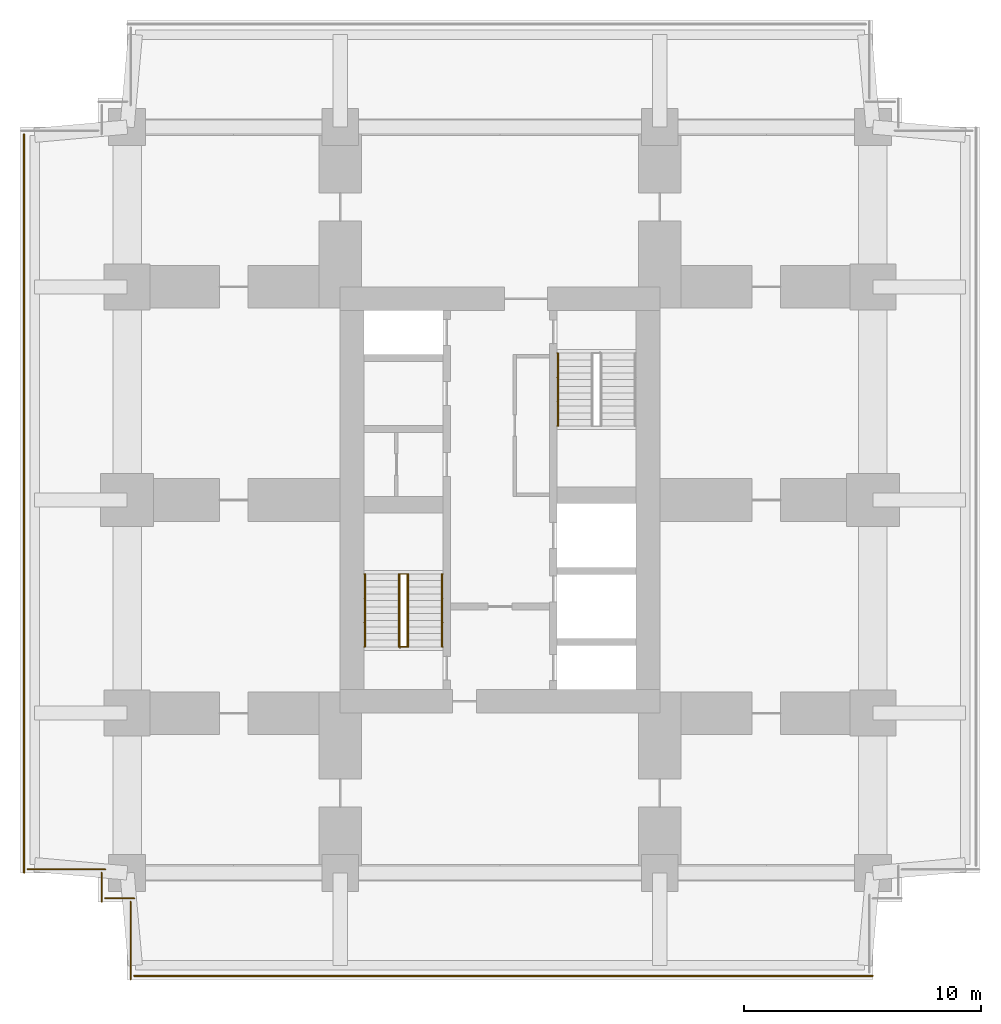
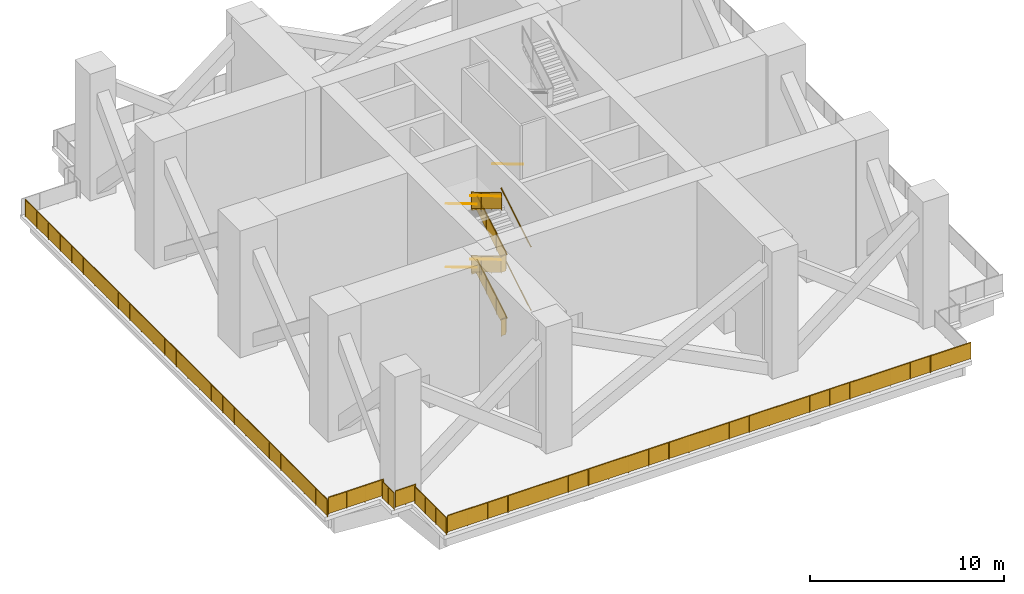
# One storey, part 4 of 6: 16 railings.
"""IFC4 building model written with IfcOpenShell, lengths in metres."""

from ifc_helpers import new_model, si_unit, direction, frame, origin, origin_2d, place, context, subcontext, project, spatial, polyline, circle, outline, extrude, material, type_object, element, save


model = new_model("IFC4")

# Units and contexts
model_context = context("Model", 3, precision=1e-05, world=origin(), true_north=direction((0.0, 1.0)))
body_context = subcontext(model_context, "Body", "Model", "MODEL_VIEW")
ifc_project = project(units=[si_unit("LENGTHUNIT", "METRE"), si_unit("AREAUNIT", "SQUARE_METRE"), si_unit("VOLUMEUNIT", "CUBIC_METRE"), si_unit("PLANEANGLEUNIT", "RADIAN"), si_unit("MASSUNIT", "GRAM", prefix="KILO")], contexts=[model_context])

# Site, building, storey
site_placement = place(None, origin())
site = spatial("IfcSite", under=ifc_project, at=site_placement, CompositionType="ELEMENT")
building_placement = place(site_placement, origin())
building = spatial("IfcBuilding", under=site, at=building_placement, Name="Namib Vertical Campus", CompositionType="ELEMENT")
storey_placement = place(building_placement, frame((0.0, 0.0, 245.0)))
storey = spatial("IfcBuildingStorey", under=building, at=storey_placement, Name="L58", CompositionType="ELEMENT", Elevation=245.0)

# Railings
ifc_material_1 = material(Name="Toughened glass balustrade", Category="glass")
railing_type_1 = type_object("IfcRailingType", Name="Edge guard 1100", PredefinedType="GUARDRAIL", material=ifc_material_1)
railing_1_placement = place(storey_placement, frame((4.800048828125, 0.14990234375, 0.0)))
element("IfcRailing", 1, at=railing_1_placement, inside=storey, type_object=railing_type_1, Name="Refuge edge guard GR2 A L58 1", PredefinedType="GUARDRAIL", context=body_context, shape_type="SweptSolid", body=[
    extrude(circle(Radius=0.02392578125, at=origin_2d()), frame((0.0, 0.0, 1.076171875), z_axis=(1.0, 0.0, 0.0), x_axis=(0.0, 1.0, 0.0)), (0.0, 0.0, 1.0), 31.199951171875),
    extrude(outline(polyline([(0.02099609375, 0.050048828125), (31.178955078125, 0.050048828125), (31.178955078125, 1.052001953125), (0.02099609375, 1.052001953125), (0.02099609375, 0.050048828125)])), frame((0.0, 0.0107421875, 0.0), z_axis=(0.0, -1.0, 0.0), x_axis=(1.0, 0.0, 0.0)), (0.0, 0.0, 1.0), 0.021484375),
    extrude(circle(Radius=0.02099609375, at=origin_2d()), origin(), (0.0, 0.0, 1.0), 1.052001953125),
    extrude(circle(Radius=0.02099609375, at=origin_2d()), frame((1.199951171875, 0.0, 0.0)), (0.0, 0.0, 1.0), 1.052001953125),
    extrude(circle(Radius=0.02099609375, at=origin_2d()), frame((2.39990234375, 0.0, 0.0)), (0.0, 0.0, 1.0), 1.052001953125),
    extrude(circle(Radius=0.02099609375, at=origin_2d()), frame((3.60009765625, 0.0, 0.0)), (0.0, 0.0, 1.0), 1.052001953125),
    extrude(circle(Radius=0.02099609375, at=origin_2d()), frame((4.800048828125, 0.0, 0.0)), (0.0, 0.0, 1.0), 1.052001953125),
    extrude(circle(Radius=0.02099609375, at=origin_2d()), frame((6.0, 0.0, 0.0)), (0.0, 0.0, 1.0), 1.052001953125),
    extrude(circle(Radius=0.02099609375, at=origin_2d()), frame((7.199951171875, 0.0, 0.0)), (0.0, 0.0, 1.0), 1.052001953125),
    extrude(circle(Radius=0.02099609375, at=origin_2d()), frame((8.39990234375, 0.0, 0.0)), (0.0, 0.0, 1.0), 1.052001953125),
    extrude(circle(Radius=0.02099609375, at=origin_2d()), frame((9.60009765625, 0.0, 0.0)), (0.0, 0.0, 1.0), 1.052001953125),
    extrude(circle(Radius=0.02099609375, at=origin_2d()), frame((10.800048828125, 0.0, 0.0)), (0.0, 0.0, 1.0), 1.052001953125),
    extrude(circle(Radius=0.02099609375, at=origin_2d()), frame((12.0, 0.0, 0.0)), (0.0, 0.0, 1.0), 1.052001953125),
    extrude(circle(Radius=0.02099609375, at=origin_2d()), frame((13.199951171875, 0.0, 0.0)), (0.0, 0.0, 1.0), 1.052001953125),
    extrude(circle(Radius=0.02099609375, at=origin_2d()), frame((14.39990234375, 0.0, 0.0)), (0.0, 0.0, 1.0), 1.052001953125),
    extrude(circle(Radius=0.02099609375, at=origin_2d()), frame((15.60009765625, 0.0, 0.0)), (0.0, 0.0, 1.0), 1.052001953125),
    extrude(circle(Radius=0.02099609375, at=origin_2d()), frame((16.800048828125, 0.0, 0.0)), (0.0, 0.0, 1.0), 1.052001953125),
    extrude(circle(Radius=0.02099609375, at=origin_2d()), frame((18.0, 0.0, 0.0)), (0.0, 0.0, 1.0), 1.052001953125),
    extrude(circle(Radius=0.02099609375, at=origin_2d()), frame((19.199951171875, 0.0, 0.0)), (0.0, 0.0, 1.0), 1.052001953125),
    extrude(circle(Radius=0.02099609375, at=origin_2d()), frame((20.39990234375, 0.0, 0.0)), (0.0, 0.0, 1.0), 1.052001953125),
    extrude(circle(Radius=0.02099609375, at=origin_2d()), frame((21.599853515625, 0.0, 0.0)), (0.0, 0.0, 1.0), 1.052001953125),
    extrude(circle(Radius=0.02099609375, at=origin_2d()), frame((22.800048828125, 0.0, 0.0)), (0.0, 0.0, 1.0), 1.052001953125),
    extrude(circle(Radius=0.02099609375, at=origin_2d()), frame((24.0, 0.0, 0.0)), (0.0, 0.0, 1.0), 1.052001953125),
    extrude(circle(Radius=0.02099609375, at=origin_2d()), frame((25.199951171875, 0.0, 0.0)), (0.0, 0.0, 1.0), 1.052001953125),
    extrude(circle(Radius=0.02099609375, at=origin_2d()), frame((26.39990234375, 0.0, 0.0)), (0.0, 0.0, 1.0), 1.052001953125),
    extrude(circle(Radius=0.02099609375, at=origin_2d()), frame((27.599853515625, 0.0, 0.0)), (0.0, 0.0, 1.0), 1.052001953125),
    extrude(circle(Radius=0.02099609375, at=origin_2d()), frame((28.800048828125, 0.0, 0.0)), (0.0, 0.0, 1.0), 1.052001953125),
    extrude(circle(Radius=0.02099609375, at=origin_2d()), frame((30.0, 0.0, 0.0)), (0.0, 0.0, 1.0), 1.052001953125),
    extrude(circle(Radius=0.02099609375, at=origin_2d()), frame((31.199951171875, 0.0, 0.0)), (0.0, 0.0, 1.0), 1.052001953125),
])
railing_2_placement = place(storey_placement, frame((0.14990234375, 35.699951171875, 0.0)))
element("IfcRailing", 2, at=railing_2_placement, inside=storey, type_object=railing_type_1, Name="Refuge edge guard GR2 A L58 16", PredefinedType="GUARDRAIL", context=body_context, shape_type="SweptSolid", body=[
    extrude(circle(Radius=0.02392578125, at=origin_2d()), frame((0.0, 0.0, 1.076171875), z_axis=(0.0, -1.0, 0.0), x_axis=(1.0, 0.0, 0.0)), (0.0, 0.0, 1.0), 31.199951171875),
    extrude(outline(polyline([(0.02099609375, 0.050048828125), (31.178955078125, 0.050048828125), (31.178955078125, 1.052001953125), (0.02099609375, 1.052001953125), (0.02099609375, 0.050048828125)])), frame((0.0107421875, 0.0, 0.0), z_axis=(-1.0, 0.0, 0.0), x_axis=(0.0, -1.0, 0.0)), (0.0, 0.0, 1.0), 0.021484375),
    extrude(circle(Radius=0.02099609375, at=origin_2d()), origin(), (0.0, 0.0, 1.0), 1.052001953125),
    extrude(circle(Radius=0.02099609375, at=origin_2d()), frame((0.0, -1.199951171875, 0.0)), (0.0, 0.0, 1.0), 1.052001953125),
    extrude(circle(Radius=0.02099609375, at=origin_2d()), frame((0.0, -2.39990234375, 0.0)), (0.0, 0.0, 1.0), 1.052001953125),
    extrude(circle(Radius=0.02099609375, at=origin_2d()), frame((0.0, -3.60009765625, 0.0)), (0.0, 0.0, 1.0), 1.052001953125),
    extrude(circle(Radius=0.02099609375, at=origin_2d()), frame((0.0, -4.800048828125, 0.0)), (0.0, 0.0, 1.0), 1.052001953125),
    extrude(circle(Radius=0.02099609375, at=origin_2d()), frame((0.0, -6.0, 0.0)), (0.0, 0.0, 1.0), 1.052001953125),
    extrude(circle(Radius=0.02099609375, at=origin_2d()), frame((0.0, -7.199951171875, 0.0)), (0.0, 0.0, 1.0), 1.052001953125),
    extrude(circle(Radius=0.02099609375, at=origin_2d()), frame((0.0, -8.39990234375, 0.0)), (0.0, 0.0, 1.0), 1.052001953125),
    extrude(circle(Radius=0.02099609375, at=origin_2d()), frame((0.0, -9.60009765625, 0.0)), (0.0, 0.0, 1.0), 1.052001953125),
    extrude(circle(Radius=0.02099609375, at=origin_2d()), frame((0.0, -10.800048828125, 0.0)), (0.0, 0.0, 1.0), 1.052001953125),
    extrude(circle(Radius=0.02099609375, at=origin_2d()), frame((0.0, -12.0, 0.0)), (0.0, 0.0, 1.0), 1.052001953125),
    extrude(circle(Radius=0.02099609375, at=origin_2d()), frame((0.0, -13.199951171875, 0.0)), (0.0, 0.0, 1.0), 1.052001953125),
    extrude(circle(Radius=0.02099609375, at=origin_2d()), frame((0.0, -14.39990234375, 0.0)), (0.0, 0.0, 1.0), 1.052001953125),
    extrude(circle(Radius=0.02099609375, at=origin_2d()), frame((0.0, -15.60009765625, 0.0)), (0.0, 0.0, 1.0), 1.052001953125),
    extrude(circle(Radius=0.02099609375, at=origin_2d()), frame((0.0, -16.800048828125, 0.0)), (0.0, 0.0, 1.0), 1.052001953125),
    extrude(circle(Radius=0.02099609375, at=origin_2d()), frame((0.0, -18.0, 0.0)), (0.0, 0.0, 1.0), 1.052001953125),
    extrude(circle(Radius=0.02099609375, at=origin_2d()), frame((0.0, -19.199951171875, 0.0)), (0.0, 0.0, 1.0), 1.052001953125),
    extrude(circle(Radius=0.02099609375, at=origin_2d()), frame((0.0, -20.39990234375, 0.0)), (0.0, 0.0, 1.0), 1.052001953125),
    extrude(circle(Radius=0.02099609375, at=origin_2d()), frame((0.0, -21.599853515625, 0.0)), (0.0, 0.0, 1.0), 1.052001953125),
    extrude(circle(Radius=0.02099609375, at=origin_2d()), frame((0.0, -22.800048828125, 0.0)), (0.0, 0.0, 1.0), 1.052001953125),
    extrude(circle(Radius=0.02099609375, at=origin_2d()), frame((0.0, -24.0, 0.0)), (0.0, 0.0, 1.0), 1.052001953125),
    extrude(circle(Radius=0.02099609375, at=origin_2d()), frame((0.0, -25.199951171875, 0.0)), (0.0, 0.0, 1.0), 1.052001953125),
    extrude(circle(Radius=0.02099609375, at=origin_2d()), frame((0.0, -26.39990234375, 0.0)), (0.0, 0.0, 1.0), 1.052001953125),
    extrude(circle(Radius=0.02099609375, at=origin_2d()), frame((0.0, -27.599853515625, 0.0)), (0.0, 0.0, 1.0), 1.052001953125),
    extrude(circle(Radius=0.02099609375, at=origin_2d()), frame((0.0, -28.800048828125, 0.0)), (0.0, 0.0, 1.0), 1.052001953125),
    extrude(circle(Radius=0.02099609375, at=origin_2d()), frame((0.0, -30.0, 0.0)), (0.0, 0.0, 1.0), 1.052001953125),
    extrude(circle(Radius=0.02099609375, at=origin_2d()), frame((0.0, -31.199951171875, 0.0)), (0.0, 0.0, 1.0), 1.052001953125),
])
railing_3_placement = place(storey_placement, frame((0.300048828125, 4.64990234375, 0.0)))
element("IfcRailing", 3, at=railing_3_placement, inside=storey, type_object=railing_type_1, Name="Refuge edge guard GR2 A L58 17", PredefinedType="GUARDRAIL", context=body_context, shape_type="SweptSolid", body=[
    extrude(circle(Radius=0.02392578125, at=origin_2d()), frame((0.0, 0.0, 1.076171875), z_axis=(1.0, 0.0, 0.0), x_axis=(0.0, 1.0, 0.0)), (0.0, 0.0, 1.0), 3.27490234375),
    extrude(outline(polyline([(0.02099609375, 0.050048828125), (3.25390625, 0.050048828125), (3.25390625, 1.052001953125), (0.02099609375, 1.052001953125), (0.02099609375, 0.050048828125)])), frame((0.0, 0.0107421875, 0.0), z_axis=(0.0, -1.0, 0.0), x_axis=(1.0, 0.0, 0.0)), (0.0, 0.0, 1.0), 0.021484375),
    extrude(circle(Radius=0.02099609375, at=origin_2d()), origin(), (0.0, 0.0, 1.0), 1.052001953125),
    extrude(circle(Radius=0.02099609375, at=origin_2d()), frame((1.091552734375, 0.0, 0.0)), (0.0, 0.0, 1.0), 1.052001953125),
    extrude(circle(Radius=0.02099609375, at=origin_2d()), frame((2.183349609375, 0.0, 0.0)), (0.0, 0.0, 1.0), 1.052001953125),
    extrude(circle(Radius=0.02099609375, at=origin_2d()), frame((3.27490234375, 0.0, 0.0)), (0.0, 0.0, 1.0), 1.052001953125),
])
railing_4_placement = place(storey_placement, frame((3.425048828125, 4.5, 0.0)))
element("IfcRailing", 4, at=railing_4_placement, inside=storey, type_object=railing_type_1, Name="Refuge edge guard GR2 A L58 18", PredefinedType="GUARDRAIL", context=body_context, shape_type="SweptSolid", body=[
    extrude(circle(Radius=0.02392578125, at=origin_2d()), frame((0.0, 0.0, 1.076171875), z_axis=(0.0, -1.0, 0.0), x_axis=(1.0, 0.0, 0.0)), (0.0, 0.0, 1.0), 1.22509765625),
    extrude(outline(polyline([(0.02099609375, 0.050048828125), (1.2041015625, 0.050048828125), (1.2041015625, 1.052001953125), (0.02099609375, 1.052001953125), (0.02099609375, 0.050048828125)])), frame((0.0107421875, 0.0, 0.0), z_axis=(-1.0, 0.0, 0.0), x_axis=(0.0, -1.0, 0.0)), (0.0, 0.0, 1.0), 0.021484375),
    extrude(circle(Radius=0.02099609375, at=origin_2d()), origin(), (0.0, 0.0, 1.0), 1.052001953125),
    extrude(circle(Radius=0.02099609375, at=origin_2d()), frame((0.0, -0.612548828125, 0.0)), (0.0, 0.0, 1.0), 1.052001953125),
    extrude(circle(Radius=0.02099609375, at=origin_2d()), frame((0.0, -1.22509765625, 0.0)), (0.0, 0.0, 1.0), 1.052001953125),
])
railing_5_placement = place(storey_placement, frame((3.574951171875, 3.425048828125, 0.0)))
element("IfcRailing", 5, at=railing_5_placement, inside=storey, type_object=railing_type_1, Name="Refuge edge guard GR2 A L58 19", PredefinedType="GUARDRAIL", context=body_context, shape_type="SweptSolid", body=[
    extrude(circle(Radius=0.02392578125, at=origin_2d()), frame((0.0, 0.0, 1.076171875), z_axis=(1.0, 0.0, 0.0), x_axis=(0.0, 1.0, 0.0)), (0.0, 0.0, 1.0), 1.22509765625),
    extrude(outline(polyline([(0.02099609375, 0.050048828125), (1.2041015625, 0.050048828125), (1.2041015625, 1.052001953125), (0.02099609375, 1.052001953125), (0.02099609375, 0.050048828125)])), frame((0.0, 0.0107421875, 0.0), z_axis=(0.0, -1.0, 0.0), x_axis=(1.0, 0.0, 0.0)), (0.0, 0.0, 1.0), 0.021484375),
    extrude(circle(Radius=0.02099609375, at=origin_2d()), origin(), (0.0, 0.0, 1.0), 1.052001953125),
    extrude(circle(Radius=0.02099609375, at=origin_2d()), frame((0.612548828125, 0.0, 0.0)), (0.0, 0.0, 1.0), 1.052001953125),
    extrude(circle(Radius=0.02099609375, at=origin_2d()), frame((1.22509765625, 0.0, 0.0)), (0.0, 0.0, 1.0), 1.052001953125),
])
railing_6_placement = place(storey_placement, frame((4.64990234375, 3.27490234375, 0.0)))
element("IfcRailing", 6, at=railing_6_placement, inside=storey, type_object=railing_type_1, Name="Refuge edge guard GR2 A L58 20", PredefinedType="GUARDRAIL", context=body_context, shape_type="SweptSolid", body=[
    extrude(circle(Radius=0.02392578125, at=origin_2d()), frame((0.0, 0.0, 1.076171875), z_axis=(0.0, -1.0, 0.0), x_axis=(1.0, 0.0, 0.0)), (0.0, 0.0, 1.0), 3.27490234375),
    extrude(outline(polyline([(0.02099609375, 0.050048828125), (3.25390625, 0.050048828125), (3.25390625, 1.052001953125), (0.02099609375, 1.052001953125), (0.02099609375, 0.050048828125)])), frame((0.0107421875, 0.0, 0.0), z_axis=(-1.0, 0.0, 0.0), x_axis=(0.0, -1.0, 0.0)), (0.0, 0.0, 1.0), 0.021484375),
    extrude(circle(Radius=0.02099609375, at=origin_2d()), origin(), (0.0, 0.0, 1.0), 1.052001953125),
    extrude(circle(Radius=0.02099609375, at=origin_2d()), frame((0.0, -1.091552734375, 0.0)), (0.0, 0.0, 1.0), 1.052001953125),
    extrude(circle(Radius=0.02099609375, at=origin_2d()), frame((0.0, -2.183349609375, 0.0)), (0.0, 0.0, 1.0), 1.052001953125),
    extrude(circle(Radius=0.02099609375, at=origin_2d()), frame((0.0, -3.27490234375, 0.0)), (0.0, 0.0, 1.0), 1.052001953125),
])
ifc_material_2 = material(Name="Steel handrail", Category="steel")
railing_type_2 = type_object("IfcRailingType", Name="Handrail 900", PredefinedType="HANDRAIL", material=ifc_material_2)
railing_7_placement = place(storey_placement, frame((17.800048828125, 14.050048828125, 0.166748046875)))
element("IfcRailing", 7, at=railing_7_placement, inside=storey, type_object=railing_type_2, Name="Handrail HR1 A-S1 L58 1", PredefinedType="HANDRAIL", context=body_context, shape_type="SweptSolid", body=[
    extrude(circle(Radius=0.02392578125, at=origin_2d()), frame((0.0, 0.0, 0.8759765625), z_axis=(0.0, 0.859290745958, 0.51148745235), x_axis=(-1.0, 0.0, 0.0)), (0.0, 0.0, 1.0), 3.584228515625),
    extrude(circle(Radius=0.008056640625, at=origin_2d()), frame((0.0, 0.0, 0.8759765625), z_axis=(1.0, 0.0, 0.0), x_axis=(0.0, 0.0, 1.0)), (0.0, 0.0, 1.0), 0.050048828125),
    extrude(circle(Radius=0.008056640625, at=origin_2d()), frame((0.0, 1.026611328125, 1.48681640625), z_axis=(1.0, 0.0, 0.0), x_axis=(0.0, 0.0, 1.0)), (0.0, 0.0, 1.0), 0.050048828125),
    extrude(circle(Radius=0.008056640625, at=origin_2d()), frame((0.0, 2.05322265625, 2.09814453125), z_axis=(1.0, 0.0, 0.0), x_axis=(0.0, 0.0, 1.0)), (0.0, 0.0, 1.0), 0.050048828125),
    extrude(circle(Radius=0.008056640625, at=origin_2d()), frame((0.0, 3.079833984375, 2.708984375), z_axis=(1.0, 0.0, 0.0), x_axis=(0.0, 0.0, 1.0)), (0.0, 0.0, 1.0), 0.050048828125),
])
railing_8_placement = place(storey_placement, frame((14.550048828125, 17.1298828125, 2.166748046875)))
element("IfcRailing", 8, at=railing_8_placement, inside=storey, type_object=railing_type_2, Name="Handrail HR1 A-S1 L58 2", PredefinedType="HANDRAIL", context=body_context, shape_type="SweptSolid", body=[
    extrude(circle(Radius=0.02392578125, at=origin_2d()), frame((0.0, 0.0, 0.8759765625), z_axis=(0.0, -0.859290745958, 0.51148745235), x_axis=(1.0, 0.0, 0.0)), (0.0, 0.0, 1.0), 3.584228515625),
    extrude(circle(Radius=0.008056640625, at=origin_2d()), frame((0.0, 0.0, 0.8759765625), z_axis=(-1.0, 0.0, 0.0), x_axis=(0.0, 0.0, 1.0)), (0.0, 0.0, 1.0), 0.050048828125),
    extrude(circle(Radius=0.008056640625, at=origin_2d()), frame((0.0, -1.026611328125, 1.48681640625), z_axis=(-1.0, 0.0, 0.0), x_axis=(0.0, 0.0, 1.0)), (0.0, 0.0, 1.0), 0.050048828125),
    extrude(circle(Radius=0.008056640625, at=origin_2d()), frame((0.0, -2.05322265625, 2.09814453125), z_axis=(-1.0, 0.0, 0.0), x_axis=(0.0, 0.0, 1.0)), (0.0, 0.0, 1.0), 0.050048828125),
    extrude(circle(Radius=0.008056640625, at=origin_2d()), frame((0.0, -3.079833984375, 2.708984375), z_axis=(-1.0, 0.0, 0.0), x_axis=(0.0, 0.0, 1.0)), (0.0, 0.0, 1.0), 0.050048828125),
])
railing_9_placement = place(storey_placement, frame((17.800048828125, 14.050048828125, 4.166748046875)))
element("IfcRailing", 9, at=railing_9_placement, inside=storey, type_object=railing_type_2, Name="Handrail HR1 A-S1 L58 3", PredefinedType="HANDRAIL", context=body_context, shape_type="SweptSolid", body=[
    extrude(circle(Radius=0.02392578125, at=origin_2d()), frame((0.0, 0.0, 0.8759765625), z_axis=(0.0, 0.859290745958, 0.51148745235), x_axis=(-1.0, 0.0, 0.0)), (0.0, 0.0, 1.0), 3.584228515625),
    extrude(circle(Radius=0.008056640625, at=origin_2d()), frame((0.0, 0.0, 0.8759765625), z_axis=(1.0, 0.0, 0.0), x_axis=(0.0, 0.0, 1.0)), (0.0, 0.0, 1.0), 0.050048828125),
    extrude(circle(Radius=0.008056640625, at=origin_2d()), frame((0.0, 1.026611328125, 1.48681640625), z_axis=(1.0, 0.0, 0.0), x_axis=(0.0, 0.0, 1.0)), (0.0, 0.0, 1.0), 0.050048828125),
    extrude(circle(Radius=0.008056640625, at=origin_2d()), frame((0.0, 2.05322265625, 2.09814453125), z_axis=(1.0, 0.0, 0.0), x_axis=(0.0, 0.0, 1.0)), (0.0, 0.0, 1.0), 0.050048828125),
    extrude(circle(Radius=0.008056640625, at=origin_2d()), frame((0.0, 3.079833984375, 2.708984375), z_axis=(1.0, 0.0, 0.0), x_axis=(0.0, 0.0, 1.0)), (0.0, 0.0, 1.0), 0.050048828125),
])
railing_10_placement = place(storey_placement, frame((14.550048828125, 17.1298828125, 6.166748046875)))
element("IfcRailing", 10, at=railing_10_placement, inside=storey, type_object=railing_type_2, Name="Handrail HR1 A-S1 L58 4", PredefinedType="HANDRAIL", context=body_context, shape_type="SweptSolid", body=[
    extrude(circle(Radius=0.02392578125, at=origin_2d()), frame((0.0, 0.0, 0.8759765625), z_axis=(0.0, -0.859290745958, 0.51148745235), x_axis=(1.0, 0.0, 0.0)), (0.0, 0.0, 1.0), 3.584228515625),
    extrude(circle(Radius=0.008056640625, at=origin_2d()), frame((0.0, 0.0, 0.8759765625), z_axis=(-1.0, 0.0, 0.0), x_axis=(0.0, 0.0, 1.0)), (0.0, 0.0, 1.0), 0.050048828125),
    extrude(circle(Radius=0.008056640625, at=origin_2d()), frame((0.0, -1.026611328125, 1.48681640625), z_axis=(-1.0, 0.0, 0.0), x_axis=(0.0, 0.0, 1.0)), (0.0, 0.0, 1.0), 0.050048828125),
    extrude(circle(Radius=0.008056640625, at=origin_2d()), frame((0.0, -2.05322265625, 2.09814453125), z_axis=(-1.0, 0.0, 0.0), x_axis=(0.0, 0.0, 1.0)), (0.0, 0.0, 1.0), 0.050048828125),
    extrude(circle(Radius=0.008056640625, at=origin_2d()), frame((0.0, -3.079833984375, 2.708984375), z_axis=(-1.0, 0.0, 0.0), x_axis=(0.0, 0.0, 1.0)), (0.0, 0.0, 1.0), 0.050048828125),
])
railing_11_placement = place(storey_placement, frame((16.375, 14.050048828125, 0.166748046875)))
element("IfcRailing", 11, at=railing_11_placement, inside=storey, type_object=railing_type_2, Name="Handrail HR1 A-S1 L58 1 at the well", PredefinedType="HANDRAIL", context=body_context, shape_type="SweptSolid", body=[
    extrude(circle(Radius=0.02392578125, at=origin_2d()), frame((0.0, 0.0, 0.8759765625), z_axis=(0.0, 0.859290745958, 0.51148745235), x_axis=(-1.0, 0.0, 0.0)), (0.0, 0.0, 1.0), 3.584228515625),
    extrude(circle(Radius=0.008056640625, at=origin_2d()), frame((0.0, 0.0, 0.8759765625), z_axis=(-1.0, 0.0, 0.0), x_axis=(0.0, 0.0, 1.0)), (0.0, 0.0, 1.0), 0.0400390625),
    extrude(circle(Radius=0.008056640625, at=origin_2d()), frame((0.0, 1.026611328125, 1.48681640625), z_axis=(-1.0, 0.0, 0.0), x_axis=(0.0, 0.0, 1.0)), (0.0, 0.0, 1.0), 0.0400390625),
    extrude(circle(Radius=0.008056640625, at=origin_2d()), frame((0.0, 2.05322265625, 2.09814453125), z_axis=(-1.0, 0.0, 0.0), x_axis=(0.0, 0.0, 1.0)), (0.0, 0.0, 1.0), 0.0400390625),
    extrude(circle(Radius=0.008056640625, at=origin_2d()), frame((0.0, 3.079833984375, 2.708984375), z_axis=(-1.0, 0.0, 0.0), x_axis=(0.0, 0.0, 1.0)), (0.0, 0.0, 1.0), 0.0400390625),
])
railing_12_placement = place(storey_placement, frame((15.97509765625, 17.1298828125, 2.166748046875)))
element("IfcRailing", 12, at=railing_12_placement, inside=storey, type_object=railing_type_2, Name="Handrail HR1 A-S1 L58 2 at the well", PredefinedType="HANDRAIL", context=body_context, shape_type="SweptSolid", body=[
    extrude(circle(Radius=0.02392578125, at=origin_2d()), frame((0.0, 0.0, 0.8759765625), z_axis=(0.0, -0.859290745958, 0.51148745235), x_axis=(1.0, 0.0, 0.0)), (0.0, 0.0, 1.0), 3.584228515625),
    extrude(circle(Radius=0.008056640625, at=origin_2d()), frame((0.0, 0.0, 0.8759765625), z_axis=(1.0, 0.0, 0.0), x_axis=(0.0, 0.0, 1.0)), (0.0, 0.0, 1.0), 0.0400390625),
    extrude(circle(Radius=0.008056640625, at=origin_2d()), frame((0.0, -1.026611328125, 1.48681640625), z_axis=(1.0, 0.0, 0.0), x_axis=(0.0, 0.0, 1.0)), (0.0, 0.0, 1.0), 0.0400390625),
    extrude(circle(Radius=0.008056640625, at=origin_2d()), frame((0.0, -2.05322265625, 2.09814453125), z_axis=(1.0, 0.0, 0.0), x_axis=(0.0, 0.0, 1.0)), (0.0, 0.0, 1.0), 0.0400390625),
    extrude(circle(Radius=0.008056640625, at=origin_2d()), frame((0.0, -3.079833984375, 2.708984375), z_axis=(1.0, 0.0, 0.0), x_axis=(0.0, 0.0, 1.0)), (0.0, 0.0, 1.0), 0.0400390625),
])
railing_13_placement = place(storey_placement, frame((16.375, 14.050048828125, 4.166748046875)))
element("IfcRailing", 13, at=railing_13_placement, inside=storey, type_object=railing_type_2, Name="Handrail HR1 A-S1 L58 3 at the well", PredefinedType="HANDRAIL", context=body_context, shape_type="SweptSolid", body=[
    extrude(circle(Radius=0.02392578125, at=origin_2d()), frame((0.0, 0.0, 0.8759765625), z_axis=(0.0, 0.859290745958, 0.51148745235), x_axis=(-1.0, 0.0, 0.0)), (0.0, 0.0, 1.0), 3.584228515625),
    extrude(circle(Radius=0.008056640625, at=origin_2d()), frame((0.0, 0.0, 0.8759765625), z_axis=(-1.0, 0.0, 0.0), x_axis=(0.0, 0.0, 1.0)), (0.0, 0.0, 1.0), 0.0400390625),
    extrude(circle(Radius=0.008056640625, at=origin_2d()), frame((0.0, 1.026611328125, 1.48681640625), z_axis=(-1.0, 0.0, 0.0), x_axis=(0.0, 0.0, 1.0)), (0.0, 0.0, 1.0), 0.0400390625),
    extrude(circle(Radius=0.008056640625, at=origin_2d()), frame((0.0, 2.05322265625, 2.09814453125), z_axis=(-1.0, 0.0, 0.0), x_axis=(0.0, 0.0, 1.0)), (0.0, 0.0, 1.0), 0.0400390625),
    extrude(circle(Radius=0.008056640625, at=origin_2d()), frame((0.0, 3.079833984375, 2.708984375), z_axis=(-1.0, 0.0, 0.0), x_axis=(0.0, 0.0, 1.0)), (0.0, 0.0, 1.0), 0.0400390625),
])
railing_14_placement = place(storey_placement, frame((15.97509765625, 17.1298828125, 6.166748046875)))
element("IfcRailing", 14, at=railing_14_placement, inside=storey, type_object=railing_type_2, Name="Handrail HR1 A-S1 L58 4 at the well", PredefinedType="HANDRAIL", context=body_context, shape_type="SweptSolid", body=[
    extrude(circle(Radius=0.02392578125, at=origin_2d()), frame((0.0, 0.0, 0.8759765625), z_axis=(0.0, -0.859290745958, 0.51148745235), x_axis=(1.0, 0.0, 0.0)), (0.0, 0.0, 1.0), 3.584228515625),
    extrude(circle(Radius=0.008056640625, at=origin_2d()), frame((0.0, 0.0, 0.8759765625), z_axis=(1.0, 0.0, 0.0), x_axis=(0.0, 0.0, 1.0)), (0.0, 0.0, 1.0), 0.0400390625),
    extrude(circle(Radius=0.008056640625, at=origin_2d()), frame((0.0, -1.026611328125, 1.48681640625), z_axis=(1.0, 0.0, 0.0), x_axis=(0.0, 0.0, 1.0)), (0.0, 0.0, 1.0), 0.0400390625),
    extrude(circle(Radius=0.008056640625, at=origin_2d()), frame((0.0, -2.05322265625, 2.09814453125), z_axis=(1.0, 0.0, 0.0), x_axis=(0.0, 0.0, 1.0)), (0.0, 0.0, 1.0), 0.0400390625),
    extrude(circle(Radius=0.008056640625, at=origin_2d()), frame((0.0, -3.079833984375, 2.708984375), z_axis=(1.0, 0.0, 0.0), x_axis=(0.0, 0.0, 1.0)), (0.0, 0.0, 1.0), 0.0400390625),
])
railing_15_placement = place(storey_placement, frame((22.699951171875, 26.449951171875, 0.166748046875)))
element("IfcRailing", 15, at=railing_15_placement, inside=storey, type_object=railing_type_2, Name="Handrail HR1 A-S2 L58 1", PredefinedType="HANDRAIL", context=body_context, shape_type="SweptSolid", body=[
    extrude(circle(Radius=0.02392578125, at=origin_2d()), frame((0.0, 0.0, 0.8759765625), z_axis=(0.0, -0.859290745958, 0.51148745235), x_axis=(1.0, 0.0, 0.0)), (0.0, 0.0, 1.0), 3.584228515625),
    extrude(circle(Radius=0.008056640625, at=origin_2d()), frame((0.0, 0.0, 0.8759765625), z_axis=(-1.0, 0.0, 0.0), x_axis=(0.0, 0.0, 1.0)), (0.0, 0.0, 1.0), 0.050048828125),
    extrude(circle(Radius=0.008056640625, at=origin_2d()), frame((0.0, -1.026611328125, 1.48681640625), z_axis=(-1.0, 0.0, 0.0), x_axis=(0.0, 0.0, 1.0)), (0.0, 0.0, 1.0), 0.050048828125),
    extrude(circle(Radius=0.008056640625, at=origin_2d()), frame((0.0, -2.05322265625, 2.09814453125), z_axis=(-1.0, 0.0, 0.0), x_axis=(0.0, 0.0, 1.0)), (0.0, 0.0, 1.0), 0.050048828125),
    extrude(circle(Radius=0.008056640625, at=origin_2d()), frame((0.0, -3.079833984375, 2.708984375), z_axis=(-1.0, 0.0, 0.0), x_axis=(0.0, 0.0, 1.0)), (0.0, 0.0, 1.0), 0.050048828125),
])
ifc_material_3 = material(Name="Steel balustrade", Category="steel")
railing_type_3 = type_object("IfcRailingType", Name="Stair guard 1100", PredefinedType="GUARDRAIL", material=ifc_material_3)
railing_16_placement = place(storey_placement, frame((16.02490234375, 14.050048828125, 0.0)))
element("IfcRailing", 16, at=railing_16_placement, inside=storey, type_object=railing_type_3, Name="Stair guard GR1 A-S1 L58", PredefinedType="GUARDRAIL", context=body_context, shape_type="SweptSolid", body=[
    extrude(circle(Radius=0.02392578125, at=origin_2d()), frame((0.0, 0.0, 1.076171875), z_axis=(1.0, 0.0, 0.0), x_axis=(0.0, 1.0, 0.0)), (0.0, 0.0, 1.0), 0.300048828125),
    extrude(outline(polyline([(0.02099609375, 0.050048828125), (0.279052734375, 0.050048828125), (0.279052734375, 1.052001953125), (0.02099609375, 1.052001953125), (0.02099609375, 0.050048828125)])), frame((0.0, 0.010009765625, 0.0), z_axis=(0.0, -1.0, 0.0), x_axis=(1.0, 0.0, 0.0)), (0.0, 0.0, 1.0), 0.02001953125),
    extrude(circle(Radius=0.02392578125, at=origin_2d()), frame((0.300048828125, 0.0, 1.076171875), z_axis=(0.0, 0.0, 1.0), x_axis=(1.0, 0.0, 0.0)), (0.0, 0.0, 1.0), 0.166748046875),
    extrude(circle(Radius=0.02392578125, at=origin_2d()), frame((0.300048828125, 0.0, 1.24267578125), z_axis=(0.0, 0.859290745958, 0.51148745235), x_axis=(-1.0, 0.0, 0.0)), (0.0, 0.0, 1.0), 3.584228515625),
    extrude(outline(polyline([(0.02099609375, 0.0625), (3.058837890625, 1.870849609375), (3.058837890625, 2.872802734375), (0.02099609375, 1.064453125), (0.02099609375, 0.0625)])), frame((0.2900390625, 0.0, 0.166748046875), z_axis=(1.0, 0.0, 0.0), x_axis=(0.0, 1.0, 0.0)), (0.0, 0.0, 1.0), 0.02001953125),
    extrude(circle(Radius=0.02392578125, at=origin_2d()), frame((0.300048828125, 3.079833984375, 3.076171875), z_axis=(-1.0, 0.0, 0.0), x_axis=(0.0, -1.0, 0.0)), (0.0, 0.0, 1.0), 0.300048828125),
    extrude(outline(polyline([(0.02099609375, 0.050048828125), (0.279052734375, 0.050048828125), (0.279052734375, 1.052001953125), (0.02099609375, 1.052001953125), (0.02099609375, 0.050048828125)])), frame((0.300048828125, 3.06982421875, 2.0), z_axis=(0.0, 1.0, 0.0), x_axis=(-1.0, 0.0, 0.0)), (0.0, 0.0, 1.0), 0.02001953125),
    extrude(circle(Radius=0.02392578125, at=origin_2d()), frame((0.0, 3.079833984375, 3.076171875), z_axis=(0.0, 0.0, 1.0), x_axis=(1.0, 0.0, 0.0)), (0.0, 0.0, 1.0), 0.166748046875),
    extrude(circle(Radius=0.02392578125, at=origin_2d()), frame((0.0, 3.079833984375, 3.24267578125), z_axis=(0.0, -0.859290745958, 0.51148745235), x_axis=(1.0, 0.0, 0.0)), (0.0, 0.0, 1.0), 3.584228515625),
    extrude(outline(polyline([(0.02099609375, 0.0625), (3.058837890625, 1.870849609375), (3.058837890625, 2.872802734375), (0.02099609375, 1.064453125), (0.02099609375, 0.0625)])), frame((0.010009765625, 3.079833984375, 2.166748046875), z_axis=(-1.0, 0.0, 0.0), x_axis=(0.0, -1.0, 0.0)), (0.0, 0.0, 1.0), 0.02001953125),
    extrude(circle(Radius=0.02392578125, at=origin_2d()), frame((0.0, 0.0, 5.076171875), z_axis=(1.0, 0.0, 0.0), x_axis=(0.0, 1.0, 0.0)), (0.0, 0.0, 1.0), 0.300048828125),
    extrude(outline(polyline([(0.02099609375, 0.050048828125), (0.279052734375, 0.050048828125), (0.279052734375, 1.052001953125), (0.02099609375, 1.052001953125), (0.02099609375, 0.050048828125)])), frame((0.0, 0.010009765625, 4.0), z_axis=(0.0, -1.0, 0.0), x_axis=(1.0, 0.0, 0.0)), (0.0, 0.0, 1.0), 0.02001953125),
    extrude(circle(Radius=0.02392578125, at=origin_2d()), frame((0.300048828125, 0.0, 5.076171875), z_axis=(0.0, 0.0, 1.0), x_axis=(1.0, 0.0, 0.0)), (0.0, 0.0, 1.0), 0.166748046875),
    extrude(circle(Radius=0.02392578125, at=origin_2d()), frame((0.300048828125, 0.0, 5.24267578125), z_axis=(0.0, 0.859290745958, 0.51148745235), x_axis=(-1.0, 0.0, 0.0)), (0.0, 0.0, 1.0), 3.584228515625),
    extrude(outline(polyline([(0.02099609375, 0.0625), (3.058837890625, 1.870849609375), (3.058837890625, 2.872802734375), (0.02099609375, 1.064453125), (0.02099609375, 0.0625)])), frame((0.2900390625, 0.0, 4.166748046875), z_axis=(1.0, 0.0, 0.0), x_axis=(0.0, 1.0, 0.0)), (0.0, 0.0, 1.0), 0.02001953125),
    extrude(circle(Radius=0.02392578125, at=origin_2d()), frame((0.300048828125, 3.079833984375, 7.076171875), z_axis=(-1.0, 0.0, 0.0), x_axis=(0.0, -1.0, 0.0)), (0.0, 0.0, 1.0), 0.300048828125),
    extrude(outline(polyline([(0.02099609375, 0.050048828125), (0.279052734375, 0.050048828125), (0.279052734375, 1.052001953125), (0.02099609375, 1.052001953125), (0.02099609375, 0.050048828125)])), frame((0.300048828125, 3.06982421875, 6.0), z_axis=(0.0, 1.0, 0.0), x_axis=(-1.0, 0.0, 0.0)), (0.0, 0.0, 1.0), 0.02001953125),
    extrude(circle(Radius=0.02392578125, at=origin_2d()), frame((0.0, 3.079833984375, 7.076171875), z_axis=(0.0, 0.0, 1.0), x_axis=(1.0, 0.0, 0.0)), (0.0, 0.0, 1.0), 0.166748046875),
    extrude(circle(Radius=0.02392578125, at=origin_2d()), frame((0.0, 3.079833984375, 7.24267578125), z_axis=(0.0, -0.859290745958, 0.51148745235), x_axis=(1.0, 0.0, 0.0)), (0.0, 0.0, 1.0), 3.584228515625),
    extrude(outline(polyline([(0.02099609375, 0.0625), (3.058837890625, 1.870849609375), (3.058837890625, 2.872802734375), (0.02099609375, 1.064453125), (0.02099609375, 0.0625)])), frame((0.010009765625, 3.079833984375, 6.166748046875), z_axis=(-1.0, 0.0, 0.0), x_axis=(0.0, -1.0, 0.0)), (0.0, 0.0, 1.0), 0.02001953125),
    extrude(circle(Radius=0.02392578125, at=origin_2d()), frame((0.0, 0.0, 9.076171875), z_axis=(0.0, -1.0, 0.0), x_axis=(1.0, 0.0, 0.0)), (0.0, 0.0, 1.0), 0.050048828125),
    extrude(outline(polyline([(0.02099609375, 0.050048828125), (0.029052734375, 0.050048828125), (0.029052734375, 1.052001953125), (0.02099609375, 1.052001953125), (0.02099609375, 0.050048828125)])), frame((0.010009765625, 0.0, 8.0), z_axis=(-1.0, 0.0, 0.0), x_axis=(0.0, -1.0, 0.0)), (0.0, 0.0, 1.0), 0.02001953125),
    extrude(circle(Radius=0.02099609375, at=origin_2d()), origin(), (0.0, 0.0, 1.0), 1.052001953125),
    extrude(circle(Radius=0.02099609375, at=origin_2d()), frame((0.300048828125, 0.0, 0.166748046875)), (0.0, 0.0, 1.0), 1.052001953125),
    extrude(circle(Radius=0.02099609375, at=origin_2d()), frame((0.300048828125, 1.026611328125, 0.666748046875)), (0.0, 0.0, 1.0), 1.1630859375),
    extrude(circle(Radius=0.02099609375, at=origin_2d()), frame((0.300048828125, 2.05322265625, 1.33349609375)), (0.0, 0.0, 1.0), 1.107421875),
    extrude(circle(Radius=0.02099609375, at=origin_2d()), frame((0.300048828125, 3.079833984375, 2.0)), (0.0, 0.0, 1.0), 1.052001953125),
    extrude(circle(Radius=0.02099609375, at=origin_2d()), frame((0.0, 3.079833984375, 2.166748046875)), (0.0, 0.0, 1.0), 1.052001953125),
    extrude(circle(Radius=0.02099609375, at=origin_2d()), frame((0.0, 2.05322265625, 2.666748046875)), (0.0, 0.0, 1.0), 1.1630859375),
    extrude(circle(Radius=0.02099609375, at=origin_2d()), frame((0.0, 1.026611328125, 3.33349609375)), (0.0, 0.0, 1.0), 1.107421875),
    extrude(circle(Radius=0.02099609375, at=origin_2d()), frame((0.0, 0.0, 4.0)), (0.0, 0.0, 1.0), 1.052001953125),
    extrude(circle(Radius=0.02099609375, at=origin_2d()), frame((0.300048828125, 0.0, 4.166748046875)), (0.0, 0.0, 1.0), 1.052001953125),
    extrude(circle(Radius=0.02099609375, at=origin_2d()), frame((0.300048828125, 1.026611328125, 4.666748046875)), (0.0, 0.0, 1.0), 1.1630859375),
    extrude(circle(Radius=0.02099609375, at=origin_2d()), frame((0.300048828125, 2.05322265625, 5.33349609375)), (0.0, 0.0, 1.0), 1.107421875),
    extrude(circle(Radius=0.02099609375, at=origin_2d()), frame((0.300048828125, 3.079833984375, 6.0)), (0.0, 0.0, 1.0), 1.052001953125),
    extrude(circle(Radius=0.02099609375, at=origin_2d()), frame((0.0, 3.079833984375, 6.166748046875)), (0.0, 0.0, 1.0), 1.052001953125),
    extrude(circle(Radius=0.02099609375, at=origin_2d()), frame((0.0, 2.05322265625, 6.666748046875)), (0.0, 0.0, 1.0), 1.1630859375),
    extrude(circle(Radius=0.02099609375, at=origin_2d()), frame((0.0, 1.026611328125, 7.33349609375)), (0.0, 0.0, 1.0), 1.107421875),
    extrude(circle(Radius=0.02099609375, at=origin_2d()), frame((0.0, 0.0, 8.0)), (0.0, 0.0, 1.0), 1.052001953125),
    extrude(circle(Radius=0.02099609375, at=origin_2d()), frame((0.0, -0.050048828125, 8.0)), (0.0, 0.0, 1.0), 1.052001953125),
])

save(model, "model.ifc")
